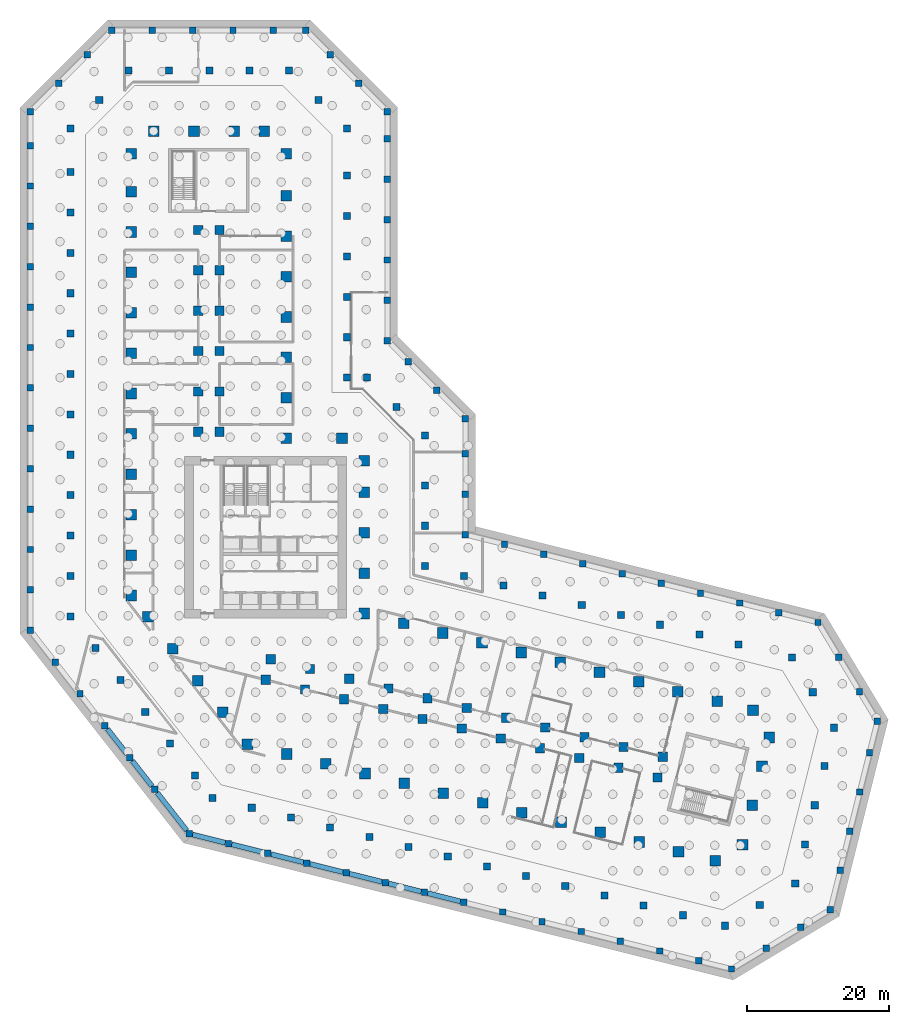
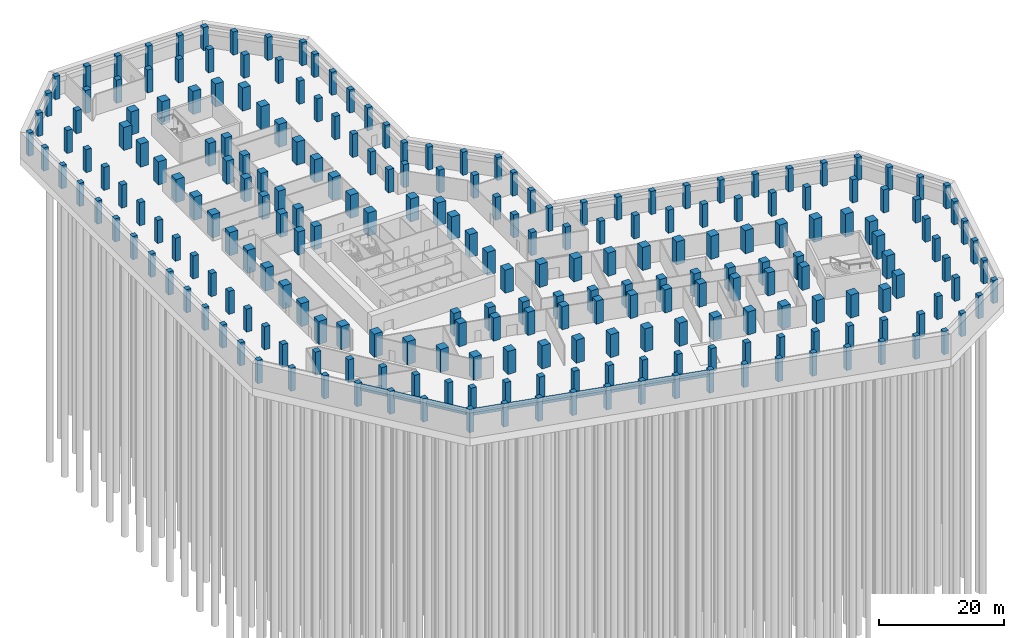
# One storey, part 3 of 15: 239 columns, 10 beams.
"""IFC4 building model written with IfcOpenShell, lengths in metres."""

from ifc_helpers import new_model, si_unit, direction, frame, origin, origin_2d, place, context, subcontext, project, spatial, rectangle, extrude, material, material_profile, profile_set, type_object, element, save


model = new_model("IFC4")

# Units and contexts
model_context = context("Model", 3, precision=1e-05, world=origin(), true_north=direction((0.0, 1.0)))
body_context = subcontext(model_context, "Body", "Model", "MODEL_VIEW")
ifc_project = project(units=[si_unit("LENGTHUNIT", "METRE"), si_unit("AREAUNIT", "SQUARE_METRE"), si_unit("VOLUMEUNIT", "CUBIC_METRE"), si_unit("PLANEANGLEUNIT", "RADIAN"), si_unit("MASSUNIT", "GRAM", prefix="KILO")], contexts=[model_context])

# Site, building, storey
site_placement = place(None, origin())
site = spatial("IfcSite", under=ifc_project, at=site_placement, CompositionType="ELEMENT")
building_placement = place(site_placement, origin())
building = spatial("IfcBuilding", under=site, at=building_placement, Name="Meshkara Civic Tower", CompositionType="ELEMENT")
storey_placement = place(building_placement, frame((0.0, 0.0, -9.0)))
storey = spatial("IfcBuildingStorey", under=building, at=storey_placement, Name="B2", CompositionType="ELEMENT", Elevation=-9.0)

# Columns
ifc_material_1 = material(Name="Concrete C60", Category="concrete")
ifc_material_profile_1 = material_profile(ifc_material_1, rectangle(XDim=0.89990234375, YDim=0.89990234375, at=origin_2d()))
ifc_profile_set_1 = profile_set([ifc_material_profile_1], Name="Concrete C60")
column_type_1 = type_object("IfcColumnType", Name="Basement edge column RC 900x900 C60", PredefinedType="COLUMN", material=ifc_profile_set_1)
for number, where, z_axis, x_axis, name in (
    (1, (-2.297119140625, 97.02001953125, 0.0), (0.0, 0.0, 1.0), (1.0, 0.0, 0.0), "Column BM00-00 B2"),
    (2, (3.403076171875, 97.02001953125, 0.0), (0.0, 0.0, 1.0), (1.0, 0.0, 0.0), "Column BM00-01 B2"),
    (3, (9.10302734375, 97.02001953125, 0.0), (0.0, 0.0, 1.0), (1.0, 0.0, 0.0), "Column BM00-02 B2"),
    (4, (14.802978515625, 97.02001953125, 0.0), (0.0, 0.0, 1.0), (1.0, 0.0, 0.0), "Column BM00-03 B2"),
    (5, (20.5029296875, 97.02001953125, 0.0), (0.0, 0.0, 1.0), (1.0, 0.0, 0.0), "Column BM00-04 B2"),
    (6, (25.096923828125, 97.02001953125, 0.0), (0.0, 0.0, 1.0), (1.0, 0.0, 0.0), "Column BM00-E B2"),
    (7, (-13.800048828125, 85.51708984375, 0.0), (0.0, 0.0, 1.0), (1.0, 0.0, 0.0), "Column BM01-00 B2"),
    (8, (-9.76904296875, 89.548095703125, 0.0), (0.0, 0.0, 1.0), (1.0, 0.0, 0.0), "Column BM01-01 B2"),
    (9, (-5.739013671875, 93.577880859375, 0.0), (0.0, 0.0, 1.0), (1.0, 0.0, 0.0), "Column BM01-02 B2"),
    (10, (-13.800048828125, 12.347900390625, 0.0), (0.0, 0.0, 1.0), (1.0, 0.0, 0.0), "Column BM02-00 B2"),
    (11, (-13.800048828125, 18.048095703125, 0.0), (0.0, 0.0, 1.0), (1.0, 0.0, 0.0), "Column BM02-01 B2"),
    (12, (-13.800048828125, 23.748046875, 0.0), (0.0, 0.0, 1.0), (1.0, 0.0, 0.0), "Column BM02-02 B2"),
    (13, (-13.800048828125, 29.447998046875, 0.0), (0.0, 0.0, 1.0), (1.0, 0.0, 0.0), "Column BM02-03 B2"),
    (14, (-13.800048828125, 35.14794921875, 0.0), (0.0, 0.0, 1.0), (1.0, 0.0, 0.0), "Column BM02-04 B2"),
    (15, (-13.800048828125, 40.847900390625, 0.0), (0.0, 0.0, 1.0), (1.0, 0.0, 0.0), "Column BM02-05 B2"),
    (16, (-13.800048828125, 46.548095703125, 0.0), (0.0, 0.0, 1.0), (1.0, 0.0, 0.0), "Column BM02-06 B2"),
    (17, (-13.800048828125, 52.248046875, 0.0), (0.0, 0.0, 1.0), (1.0, 0.0, 0.0), "Column BM02-07 B2"),
    (18, (-13.800048828125, 57.947998046875, 0.0), (0.0, 0.0, 1.0), (1.0, 0.0, 0.0), "Column BM02-08 B2"),
    (19, (-13.800048828125, 63.64794921875, 0.0), (0.0, 0.0, 1.0), (1.0, 0.0, 0.0), "Column BM02-09 B2"),
    (20, (-13.800048828125, 69.347900390625, 0.0), (0.0, 0.0, 1.0), (1.0, 0.0, 0.0), "Column BM02-10 B2"),
    (21, (-13.800048828125, 75.048095703125, 0.0), (0.0, 0.0, 1.0), (1.0, 0.0, 0.0), "Column BM02-11 B2"),
    (22, (-13.800048828125, 80.748046875, 0.0), (0.0, 0.0, 1.0), (1.0, 0.0, 0.0), "Column BM02-12 B2"),
    (23, (-10.291015625, 7.85595703125, 0.0), (0.0, 0.0, 1.0), (1.0, 0.0, 0.0), "Column BM03-01 B2"),
    (24, (-6.781982421875, 3.364990234375, 0.0), (0.0, 0.0, 1.0), (1.0, 0.0, 0.0), "Column BM03-02 B2"),
    (25, (-3.27197265625, -1.126953125, 0.0), (0.0, 0.0, 1.0), (1.0, 0.0, 0.0), "Column BM03-03 B2"),
    (26, (0.237060546875, -5.618896484375, 0.0), (0.0, 0.0, 1.0), (1.0, 0.0, 0.0), "Column BM03-04 B2"),
    (27, (3.74609375, -10.110107421875, 0.0), (0.0, 0.0, 1.0), (1.0, 0.0, 0.0), "Column BM03-05 B2"),
    (28, (8.64306640625, -16.3779296875, 0.0), (0.0, 0.0, 1.0), (1.0, 0.0, 0.0), "Column BM03-E B2"),
    (29, (14.174072265625, -17.757080078125, 0.0), (0.0, 0.0, 1.0), (1.0, 0.0, 0.0), "Column BM04-01 B2"),
    (30, (19.7041015625, -19.135986328125, 0.0), (0.0, 0.0, 1.0), (1.0, 0.0, 0.0), "Column BM04-02 B2"),
    (31, (25.235107421875, -20.514892578125, 0.0), (0.0, 0.0, 1.0), (1.0, 0.0, 0.0), "Column BM04-03 B2"),
    (32, (30.76611328125, -21.89404296875, 0.0), (0.0, 0.0, 1.0), (1.0, 0.0, 0.0), "Column BM04-04 B2"),
    (33, (36.2958984375, -23.27197265625, 0.0), (0.0, 0.0, 1.0), (1.0, 0.0, 0.0), "Column BM04-05 B2"),
    (34, (41.826904296875, -24.65087890625, 0.0), (0.0, 0.0, 1.0), (1.0, 0.0, 0.0), "Column BM04-06 B2"),
    (35, (47.35791015625, -26.030029296875, 0.0), (0.0, 0.0, 1.0), (1.0, 0.0, 0.0), "Column BM04-07 B2"),
    (36, (52.888916015625, -27.408935546875, 0.0), (0.0, 0.0, 1.0), (1.0, 0.0, 0.0), "Column BM04-08 B2"),
    (37, (58.4189453125, -28.7880859375, 0.0), (0.0, 0.0, 1.0), (1.0, 0.0, 0.0), "Column BM04-09 B2"),
    (38, (63.949951171875, -30.1669921875, 0.0), (0.0, 0.0, 1.0), (1.0, 0.0, 0.0), "Column BM04-10 B2"),
    (39, (69.48095703125, -31.5458984375, 0.0), (0.0, 0.0, 1.0), (1.0, 0.0, 0.0), "Column BM04-11 B2"),
    (40, (75.010986328125, -32.925048828125, 0.0), (0.0, 0.0, 1.0), (1.0, 0.0, 0.0), "Column BM04-12 B2"),
    (41, (80.5419921875, -34.303955078125, 0.0), (0.0, 0.0, 1.0), (1.0, 0.0, 0.0), "Column BM04-13 B2"),
    (42, (85.16796875, -35.45703125, 0.0), (0.0, 0.0, 1.0), (1.0, 0.0, 0.0), "Column BM04-E B2"),
    (43, (90.053955078125, -32.52099609375, 0.0), (0.0, 0.0, 1.0), (1.0, 0.0, 0.0), "Column BM05-01 B2"),
    (44, (94.93994140625, -29.5849609375, 0.0), (0.0, 0.0, 1.0), (1.0, 0.0, 0.0), "Column BM05-02 B2"),
    (45, (99.112060546875, -27.077880859375, 0.0), (0.0, 0.0, 1.0), (1.0, 0.0, 0.0), "Column BM05-E B2"),
    (46, (100.490966796875, -21.547119140625, 0.0), (0.0, 0.0, 1.0), (1.0, 0.0, 0.0), "Column BM06-01 B2"),
    (47, (101.8701171875, -16.01708984375, 0.0), (0.0, 0.0, 1.0), (1.0, 0.0, 0.0), "Column BM06-02 B2"),
    (48, (103.25, -10.486083984375, 0.0), (0.0, 0.0, 1.0), (1.0, 0.0, 0.0), "Column BM06-03 B2"),
    (49, (104.62890625, -4.955078125, 0.0), (0.0, 0.0, 1.0), (1.0, 0.0, 0.0), "Column BM06-04 B2"),
    (50, (105.739990234375, -0.4990234375, 0.0), (0.0, 0.0, 1.0), (1.0, 0.0, 0.0), "Column BM06-E B2"),
    (51, (97.360107421875, 13.445068359375, 0.0), (0.0, 0.0, 1.0), (1.0, 0.0, 0.0), "Column BM07-00 B2"),
    (52, (100.2958984375, 8.55908203125, 0.0), (0.0, 0.0, 1.0), (1.0, 0.0, 0.0), "Column BM07-01 B2"),
    (53, (103.23193359375, 3.674072265625, 0.0), (0.0, 0.0, 1.0), (1.0, 0.0, 0.0), "Column BM07-02 B2"),
    (54, (47.60009765625, 25.85205078125, 0.0), (0.0, 0.0, 1.0), (1.0, 0.0, 0.0), "Column BM08-00 B2"),
    (55, (53.131103515625, 24.472900390625, 0.0), (0.0, 0.0, 1.0), (1.0, 0.0, 0.0), "Column BM08-01 B2"),
    (56, (58.660888671875, 23.093994140625, 0.0), (0.0, 0.0, 1.0), (1.0, 0.0, 0.0), "Column BM08-02 B2"),
    (57, (64.19189453125, 21.715087890625, 0.0), (0.0, 0.0, 1.0), (1.0, 0.0, 0.0), "Column BM08-03 B2"),
    (58, (69.722900390625, 20.3359375, 0.0), (0.0, 0.0, 1.0), (1.0, 0.0, 0.0), "Column BM08-04 B2"),
    (59, (75.2529296875, 18.95703125, 0.0), (0.0, 0.0, 1.0), (1.0, 0.0, 0.0), "Column BM08-05 B2"),
    (60, (80.783935546875, 17.577880859375, 0.0), (0.0, 0.0, 1.0), (1.0, 0.0, 0.0), "Column BM08-06 B2"),
    (61, (86.31494140625, 16.198974609375, 0.0), (0.0, 0.0, 1.0), (1.0, 0.0, 0.0), "Column BM08-07 B2"),
    (62, (91.844970703125, 14.820068359375, 0.0), (0.0, 0.0, 1.0), (1.0, 0.0, 0.0), "Column BM08-08 B2"),
    (63, (47.60009765625, 31.552001953125, 0.0), (0.0, 0.0, 1.0), (1.0, 0.0, 0.0), "Column BM09-01 B2"),
    (64, (47.60009765625, 37.251953125, 0.0), (0.0, 0.0, 1.0), (1.0, 0.0, 0.0), "Column BM09-02 B2"),
    (65, (47.60009765625, 42.197021484375, 0.0), (0.0, 0.0, 1.0), (1.0, 0.0, 0.0), "Column BM09-E B2"),
    (66, (43.569091796875, 46.22802734375, 0.0), (0.0, 0.0, 1.0), (1.0, 0.0, 0.0), "Column BM10-01 B2"),
    (67, (39.5390625, 50.258056640625, 0.0), (0.0, 0.0, 1.0), (1.0, 0.0, 0.0), "Column BM10-02 B2"),
    (68, (36.60009765625, 53.197021484375, 0.0), (0.0, 0.0, 1.0), (1.0, 0.0, 0.0), "Column BM10-E B2"),
    (69, (36.60009765625, 58.89697265625, 0.0), (0.0, 0.0, 1.0), (1.0, 0.0, 0.0), "Column BM11-01 B2"),
    (70, (36.60009765625, 64.596923828125, 0.0), (0.0, 0.0, 1.0), (1.0, 0.0, 0.0), "Column BM11-02 B2"),
    (71, (36.60009765625, 70.297119140625, 0.0), (0.0, 0.0, 1.0), (1.0, 0.0, 0.0), "Column BM11-03 B2"),
    (72, (36.60009765625, 75.9970703125, 0.0), (0.0, 0.0, 1.0), (1.0, 0.0, 0.0), "Column BM11-04 B2"),
    (73, (36.60009765625, 81.697021484375, 0.0), (0.0, 0.0, 1.0), (1.0, 0.0, 0.0), "Column BM11-05 B2"),
    (74, (36.60009765625, 85.51708984375, 0.0), (0.0, 0.0, 1.0), (1.0, 0.0, 0.0), "Column BM11-E B2"),
    (75, (32.569091796875, 89.548095703125, 0.0), (0.0, 0.0, 1.0), (1.0, 0.0, 0.0), "Column BM12-01 B2"),
    (76, (28.5390625, 93.577880859375, 0.0), (0.0, 0.0, 1.0), (1.0, 0.0, 0.0), "Column BM12-02 B2"),
):
    element("IfcColumn", number, at=place(storey_placement, frame(where, z_axis=z_axis, x_axis=x_axis)), inside=storey, type_object=column_type_1, Name=name, PredefinedType="COLUMN", context=body_context, shape_type="SweptSolid", body=[
        extrude(rectangle(XDim=0.89990234375, YDim=0.89990234375, at=origin_2d()), origin(), (0.0, 0.0, 1.0), 4.5),
    ])
ifc_material_2 = material(Name="Concrete C80", Category="concrete")
ifc_material_profile_2 = material_profile(ifc_material_2, rectangle(XDim=1.300048828125, YDim=1.300048828125, at=origin_2d()))
ifc_profile_set_2 = profile_set([ifc_material_profile_2], Name="Concrete C80")
column_type_2 = type_object("IfcColumnType", Name="Interior column RC 1300x1300 C80", PredefinedType="COLUMN", material=ifc_profile_set_2)
for number, where, z_axis, x_axis, name in (
    (77, (9.89990234375, 40.35009765625, 0.0), (0.0, 0.0, 1.0), (1.0, 0.0, 0.0), "Column SA1-04 B2"),
    (78, (9.89990234375, 46.050048828125, 0.0), (0.0, 0.0, 1.0), (1.0, 0.0, 0.0), "Column SA1-05 B2"),
    (79, (9.89990234375, 51.75, 0.0), (0.0, 0.0, 1.0), (1.0, 0.0, 0.0), "Column SA1-06 B2"),
    (80, (9.89990234375, 57.449951171875, 0.0), (0.0, 0.0, 1.0), (1.0, 0.0, 0.0), "Column SA1-07 B2"),
    (81, (9.89990234375, 63.14990234375, 0.0), (0.0, 0.0, 1.0), (1.0, 0.0, 0.0), "Column SA1-08 B2"),
    (82, (9.89990234375, 68.85009765625, 0.0), (0.0, 0.0, 1.0), (1.0, 0.0, 0.0), "Column SA1-09 B2"),
    (83, (12.89990234375, 40.35009765625, 0.0), (0.0, 0.0, 1.0), (1.0, 0.0, 0.0), "Column SA2-04 B2"),
    (84, (12.89990234375, 46.050048828125, 0.0), (0.0, 0.0, 1.0), (1.0, 0.0, 0.0), "Column SA2-05 B2"),
    (85, (12.89990234375, 51.75, 0.0), (0.0, 0.0, 1.0), (1.0, 0.0, 0.0), "Column SA2-06 B2"),
    (86, (12.89990234375, 57.449951171875, 0.0), (0.0, 0.0, 1.0), (1.0, 0.0, 0.0), "Column SA2-07 B2"),
    (87, (12.89990234375, 63.14990234375, 0.0), (0.0, 0.0, 1.0), (1.0, 0.0, 0.0), "Column SA2-08 B2"),
    (88, (12.89990234375, 68.85009765625, 0.0), (0.0, 0.0, 1.0), (1.0, 0.0, 0.0), "Column SA2-09 B2"),
    (89, (19.424072265625, 5.360107421875, 0.0), (0.0, 0.0, 1.0), (1.0, 0.0, 0.0), "Column SB1-00 B2"),
    (90, (24.9541015625, 3.98095703125, 0.0), (0.0, 0.0, 1.0), (1.0, 0.0, 0.0), "Column SB1-01 B2"),
    (91, (30.485107421875, 2.60205078125, 0.0), (0.0, 0.0, 1.0), (1.0, 0.0, 0.0), "Column SB1-02 B2"),
    (92, (36.01611328125, 1.222900390625, 0.0), (0.0, 0.0, 1.0), (1.0, 0.0, 0.0), "Column SB1-03 B2"),
    (93, (41.5458984375, -0.156005859375, 0.0), (0.0, 0.0, 1.0), (1.0, 0.0, 0.0), "Column SB1-04 B2"),
    (94, (47.076904296875, -1.534912109375, 0.0), (0.0, 0.0, 1.0), (1.0, 0.0, 0.0), "Column SB1-05 B2"),
    (95, (52.60791015625, -2.9140625, 0.0), (0.0, 0.0, 1.0), (1.0, 0.0, 0.0), "Column SB1-06 B2"),
    (96, (58.138916015625, -4.2919921875, 0.0), (0.0, 0.0, 1.0), (1.0, 0.0, 0.0), "Column SB1-07 B2"),
    (97, (63.6689453125, -5.6708984375, 0.0), (0.0, 0.0, 1.0), (1.0, 0.0, 0.0), "Column SB1-08 B2"),
    (98, (69.199951171875, -7.050048828125, 0.0), (0.0, 0.0, 1.0), (1.0, 0.0, 0.0), "Column SB1-09 B2"),
    (99, (74.73095703125, -8.428955078125, 0.0), (0.0, 0.0, 1.0), (1.0, 0.0, 0.0), "Column SB1-10 B2"),
    (100, (20.14892578125, 8.27099609375, 0.0), (0.0, 0.0, 1.0), (1.0, 0.0, 0.0), "Column SB2-00 B2"),
    (101, (25.679931640625, 6.89208984375, 0.0), (0.0, 0.0, 1.0), (1.0, 0.0, 0.0), "Column SB2-01 B2"),
    (102, (31.2109375, 5.512939453125, 0.0), (0.0, 0.0, 1.0), (1.0, 0.0, 0.0), "Column SB2-02 B2"),
    (103, (36.741943359375, 4.134033203125, 0.0), (0.0, 0.0, 1.0), (1.0, 0.0, 0.0), "Column SB2-03 B2"),
    (104, (42.27197265625, 2.7548828125, 0.0), (0.0, 0.0, 1.0), (1.0, 0.0, 0.0), "Column SB2-04 B2"),
    (105, (47.802978515625, 1.3759765625, 0.0), (0.0, 0.0, 1.0), (1.0, 0.0, 0.0), "Column SB2-05 B2"),
    (106, (53.333984375, -0.0029296875, 0.0), (0.0, 0.0, 1.0), (1.0, 0.0, 0.0), "Column SB2-06 B2"),
    (107, (58.864013671875, -1.382080078125, 0.0), (0.0, 0.0, 1.0), (1.0, 0.0, 0.0), "Column SB2-07 B2"),
    (108, (64.39501953125, -2.760986328125, 0.0), (0.0, 0.0, 1.0), (1.0, 0.0, 0.0), "Column SB2-08 B2"),
    (109, (69.926025390625, -4.139892578125, 0.0), (0.0, 0.0, 1.0), (1.0, 0.0, 0.0), "Column SB2-09 B2"),
    (110, (75.4560546875, -5.51806640625, 0.0), (0.0, 0.0, 1.0), (1.0, 0.0, 0.0), "Column SB2-10 B2"),
):
    element("IfcColumn", number, at=place(storey_placement, frame(where, z_axis=z_axis, x_axis=x_axis)), inside=storey, type_object=column_type_2, Name=name, PredefinedType="COLUMN", context=body_context, shape_type="SweptSolid", body=[
        extrude(rectangle(XDim=1.300048828125, YDim=1.300048828125, at=origin_2d()), origin(), (0.0, 0.0, 1.0), 4.5),
    ])
ifc_material_3 = material(Name="Concrete C80", Category="concrete")
ifc_material_profile_3 = material_profile(ifc_material_3, rectangle(XDim=1.5, YDim=1.5, at=origin_2d()))
ifc_profile_set_3 = profile_set([ifc_material_profile_3], Name="Concrete C80")
column_type_3 = type_object("IfcColumnType", Name="Perimeter column RC 1500x1500 C80", PredefinedType="COLUMN", material=ifc_profile_set_3)
for number, where, z_axis, x_axis, name in (
    (111, (33.35009765625, 14.718994140625, 0.0), (0.0, 0.0, 1.0), (1.0, 0.0, 0.0), "Column HE00 B2"),
    (112, (33.35009765625, 20.4189453125, 0.0), (0.0, 0.0, 1.0), (1.0, 0.0, 0.0), "Column HE01 B2"),
    (113, (33.35009765625, 26.118896484375, 0.0), (0.0, 0.0, 1.0), (1.0, 0.0, 0.0), "Column HE02 B2"),
    (114, (33.35009765625, 31.819091796875, 0.0), (0.0, 0.0, 1.0), (1.0, 0.0, 0.0), "Column HE03 B2"),
    (115, (33.35009765625, 36.2939453125, 0.0), (0.0, 0.0, 1.0), (1.0, 0.0, 0.0), "Column HEE B2"),
    (116, (30.194091796875, 39.449951171875, 0.0), (0.0, 0.0, 1.0), (1.0, 0.0, 0.0), "Column HCeE B2"),
    (117, (22.35009765625, 39.449951171875, 0.0), (0.0, 0.0, 1.0), (1.0, 0.0, 0.0), "Column HN00 B2"),
    (118, (22.35009765625, 45.14990234375, 0.0), (0.0, 0.0, 1.0), (1.0, 0.0, 0.0), "Column AE01 B2"),
    (119, (22.35009765625, 50.85009765625, 0.0), (0.0, 0.0, 1.0), (1.0, 0.0, 0.0), "Column AE02 B2"),
    (120, (22.35009765625, 56.550048828125, 0.0), (0.0, 0.0, 1.0), (1.0, 0.0, 0.0), "Column AE03 B2"),
    (121, (22.35009765625, 62.25, 0.0), (0.0, 0.0, 1.0), (1.0, 0.0, 0.0), "Column AE04 B2"),
    (122, (22.35009765625, 67.949951171875, 0.0), (0.0, 0.0, 1.0), (1.0, 0.0, 0.0), "Column AE05 B2"),
    (123, (22.35009765625, 73.64990234375, 0.0), (0.0, 0.0, 1.0), (1.0, 0.0, 0.0), "Column AE06 B2"),
    (124, (22.35009765625, 79.614013671875, 0.0), (0.0, 0.0, 1.0), (1.0, 0.0, 0.0), "Column AEE B2"),
    (125, (19.194091796875, 82.77001953125, 0.0), (0.0, 0.0, 1.0), (1.0, 0.0, 0.0), "Column ATiE B2"),
    (126, (3.60595703125, 82.77001953125, 0.0), (0.0, 0.0, 1.0), (1.0, 0.0, 0.0), "Column AT00 B2"),
    (127, (9.305908203125, 82.77001953125, 0.0), (0.0, 0.0, 1.0), (1.0, 0.0, 0.0), "Column AT01 B2"),
    (128, (15.006103515625, 82.77001953125, 0.0), (0.0, 0.0, 1.0), (1.0, 0.0, 0.0), "Column AT02 B2"),
    (129, (0.449951171875, 79.614013671875, 0.0), (0.0, 0.0, 1.0), (1.0, 0.0, 0.0), "Column ATo00 B2"),
    (130, (0.449951171875, 17.2548828125, 0.0), (0.0, 0.0, 1.0), (1.0, 0.0, 0.0), "Column AW00 B2"),
    (131, (0.449951171875, 22.955078125, 0.0), (0.0, 0.0, 1.0), (1.0, 0.0, 0.0), "Column AW01 B2"),
    (132, (0.449951171875, 28.655029296875, 0.0), (0.0, 0.0, 1.0), (1.0, 0.0, 0.0), "Column AW02 B2"),
    (133, (0.449951171875, 34.35498046875, 0.0), (0.0, 0.0, 1.0), (1.0, 0.0, 0.0), "Column AW03 B2"),
    (134, (0.449951171875, 40.054931640625, 0.0), (0.0, 0.0, 1.0), (1.0, 0.0, 0.0), "Column AW04 B2"),
    (135, (0.449951171875, 45.7548828125, 0.0), (0.0, 0.0, 1.0), (1.0, 0.0, 0.0), "Column AW05 B2"),
    (136, (0.449951171875, 51.455078125, 0.0), (0.0, 0.0, 1.0), (1.0, 0.0, 0.0), "Column AW06 B2"),
    (137, (0.449951171875, 57.155029296875, 0.0), (0.0, 0.0, 1.0), (1.0, 0.0, 0.0), "Column AW07 B2"),
    (138, (0.449951171875, 62.85498046875, 0.0), (0.0, 0.0, 1.0), (1.0, 0.0, 0.0), "Column AW08 B2"),
    (139, (0.449951171875, 68.554931640625, 0.0), (0.0, 0.0, 1.0), (1.0, 0.0, 0.0), "Column AW09 B2"),
    (140, (0.449951171875, 74.2548828125, 0.0), (0.0, 0.0, 1.0), (1.0, 0.0, 0.0), "Column AW10 B2"),
    (141, (16.85107421875, -3.738037109375, 0.0), (0.0, 0.0, 1.0), (1.0, 0.0, 0.0), "Column BOW00 B2"),
    (142, (13.342041015625, 0.75390625, 0.0), (0.0, 0.0, 1.0), (1.0, 0.0, 0.0), "Column BOW01 B2"),
    (143, (9.8330078125, 5.2451171875, 0.0), (0.0, 0.0, 1.0), (1.0, 0.0, 0.0), "Column BOW02 B2"),
    (144, (6.322998046875, 9.737060546875, 0.0), (0.0, 0.0, 1.0), (1.0, 0.0, 0.0), "Column BOW03 B2"),
    (145, (2.81396484375, 14.22900390625, 0.0), (0.0, 0.0, 1.0), (1.0, 0.0, 0.0), "Column BOW04 B2"),
    (146, (22.382080078125, -5.116943359375, 0.0), (0.0, 0.0, 1.0), (1.0, 0.0, 0.0), "Column BS01 B2"),
    (147, (27.912109375, -6.49609375, 0.0), (0.0, 0.0, 1.0), (1.0, 0.0, 0.0), "Column BS02 B2"),
    (148, (33.443115234375, -7.875, 0.0), (0.0, 0.0, 1.0), (1.0, 0.0, 0.0), "Column BS03 B2"),
    (149, (38.97412109375, -9.25390625, 0.0), (0.0, 0.0, 1.0), (1.0, 0.0, 0.0), "Column BS04 B2"),
    (150, (44.5048828125, -10.632080078125, 0.0), (0.0, 0.0, 1.0), (1.0, 0.0, 0.0), "Column BS05 B2"),
    (151, (50.034912109375, -12.010986328125, 0.0), (0.0, 0.0, 1.0), (1.0, 0.0, 0.0), "Column BS06 B2"),
    (152, (55.56591796875, -13.389892578125, 0.0), (0.0, 0.0, 1.0), (1.0, 0.0, 0.0), "Column BS07 B2"),
    (153, (61.096923828125, -14.76904296875, 0.0), (0.0, 0.0, 1.0), (1.0, 0.0, 0.0), "Column BS08 B2"),
    (154, (66.626953125, -16.14794921875, 0.0), (0.0, 0.0, 1.0), (1.0, 0.0, 0.0), "Column BS09 B2"),
    (155, (72.157958984375, -17.527099609375, 0.0), (0.0, 0.0, 1.0), (1.0, 0.0, 0.0), "Column BS10 B2"),
    (156, (77.68896484375, -18.906005859375, 0.0), (0.0, 0.0, 1.0), (1.0, 0.0, 0.0), "Column BS11 B2"),
    (157, (82.887939453125, -20.201904296875, 0.0), (0.0, 0.0, 1.0), (1.0, 0.0, 0.0), "Column BSE B2"),
    (158, (86.714111328125, -17.903076171875, 0.0), (0.0, 0.0, 1.0), (1.0, 0.0, 0.0), "Column BToE B2"),
    (159, (88.093017578125, -12.3720703125, 0.0), (0.0, 0.0, 1.0), (1.0, 0.0, 0.0), "Column BT01 B2"),
    (160, (89.471923828125, -6.842041015625, 0.0), (0.0, 0.0, 1.0), (1.0, 0.0, 0.0), "Column BT02 B2"),
    (161, (90.485107421875, -2.779052734375, 0.0), (0.0, 0.0, 1.0), (1.0, 0.0, 0.0), "Column BTE B2"),
    (162, (88.18603515625, 1.0458984375, 0.0), (0.0, 0.0, 1.0), (1.0, 0.0, 0.0), "Column BTi00 B2"),
    (163, (38.881103515625, 13.340087890625, 0.0), (0.0, 0.0, 1.0), (1.0, 0.0, 0.0), "Column BN01 B2"),
    (164, (44.410888671875, 11.9609375, 0.0), (0.0, 0.0, 1.0), (1.0, 0.0, 0.0), "Column BN02 B2"),
    (165, (49.94189453125, 10.58203125, 0.0), (0.0, 0.0, 1.0), (1.0, 0.0, 0.0), "Column BN03 B2"),
    (166, (55.472900390625, 9.202880859375, 0.0), (0.0, 0.0, 1.0), (1.0, 0.0, 0.0), "Column BN04 B2"),
    (167, (61.0029296875, 7.823974609375, 0.0), (0.0, 0.0, 1.0), (1.0, 0.0, 0.0), "Column BN05 B2"),
    (168, (66.533935546875, 6.445068359375, 0.0), (0.0, 0.0, 1.0), (1.0, 0.0, 0.0), "Column BN06 B2"),
    (169, (72.06494140625, 5.06591796875, 0.0), (0.0, 0.0, 1.0), (1.0, 0.0, 0.0), "Column BN07 B2"),
    (170, (77.594970703125, 3.68701171875, 0.0), (0.0, 0.0, 1.0), (1.0, 0.0, 0.0), "Column BN08 B2"),
    (171, (83.1259765625, 2.30810546875, 0.0), (0.0, 0.0, 1.0), (1.0, 0.0, 0.0), "Column BN09 B2"),
):
    element("IfcColumn", number, at=place(storey_placement, frame(where, z_axis=z_axis, x_axis=x_axis)), inside=storey, type_object=column_type_3, Name=name, PredefinedType="COLUMN", context=body_context, shape_type="SweptSolid", body=[
        extrude(rectangle(XDim=1.5, YDim=1.5, at=origin_2d()), origin(), (0.0, 0.0, 1.0), 4.5),
    ])
ifc_material_4 = material(Name="Concrete C60", Category="concrete")
ifc_material_profile_4 = material_profile(ifc_material_4, rectangle(XDim=1.0, YDim=1.0, at=origin_2d()))
ifc_profile_set_4 = profile_set([ifc_material_profile_4], Name="Concrete C60")
column_type_4 = type_object("IfcColumnType", Name="Podium edge column RC 1000x1000 C60", PredefinedType="COLUMN", material=ifc_profile_set_4)
for number, where, z_axis, x_axis, name in (
    (172, (0.06396484375, 91.320068359375, 0.0), (0.0, 0.0, 1.0), (1.0, 0.0, 0.0), "Column PD00-00 B2"),
    (173, (5.763916015625, 91.320068359375, 0.0), (0.0, 0.0, 1.0), (1.0, 0.0, 0.0), "Column PD00-01 B2"),
    (174, (11.464111328125, 91.320068359375, 0.0), (0.0, 0.0, 1.0), (1.0, 0.0, 0.0), "Column PD00-02 B2"),
    (175, (17.1640625, 91.320068359375, 0.0), (0.0, 0.0, 1.0), (1.0, 0.0, 0.0), "Column PD00-03 B2"),
    (176, (22.736083984375, 91.320068359375, 0.0), (0.0, 0.0, 1.0), (1.0, 0.0, 0.0), "Column PD00-E B2"),
    (177, (-8.10009765625, 83.156005859375, 0.0), (0.0, 0.0, 1.0), (1.0, 0.0, 0.0), "Column PD01-00 B2"),
    (178, (-4.069091796875, 87.18701171875, 0.0), (0.0, 0.0, 1.0), (1.0, 0.0, 0.0), "Column PD01-01 B2"),
    (179, (-8.10009765625, 14.31103515625, 0.0), (0.0, 0.0, 1.0), (1.0, 0.0, 0.0), "Column PD02-00 B2"),
    (180, (-8.10009765625, 20.010986328125, 0.0), (0.0, 0.0, 1.0), (1.0, 0.0, 0.0), "Column PD02-01 B2"),
    (181, (-8.10009765625, 25.7109375, 0.0), (0.0, 0.0, 1.0), (1.0, 0.0, 0.0), "Column PD02-02 B2"),
    (182, (-8.10009765625, 31.410888671875, 0.0), (0.0, 0.0, 1.0), (1.0, 0.0, 0.0), "Column PD02-03 B2"),
    (183, (-8.10009765625, 37.111083984375, 0.0), (0.0, 0.0, 1.0), (1.0, 0.0, 0.0), "Column PD02-04 B2"),
    (184, (-8.10009765625, 42.81103515625, 0.0), (0.0, 0.0, 1.0), (1.0, 0.0, 0.0), "Column PD02-05 B2"),
    (185, (-8.10009765625, 48.510986328125, 0.0), (0.0, 0.0, 1.0), (1.0, 0.0, 0.0), "Column PD02-06 B2"),
    (186, (-8.10009765625, 54.2109375, 0.0), (0.0, 0.0, 1.0), (1.0, 0.0, 0.0), "Column PD02-07 B2"),
    (187, (-8.10009765625, 59.910888671875, 0.0), (0.0, 0.0, 1.0), (1.0, 0.0, 0.0), "Column PD02-08 B2"),
    (188, (-8.10009765625, 65.611083984375, 0.0), (0.0, 0.0, 1.0), (1.0, 0.0, 0.0), "Column PD02-09 B2"),
    (189, (-8.10009765625, 71.31103515625, 0.0), (0.0, 0.0, 1.0), (1.0, 0.0, 0.0), "Column PD02-10 B2"),
    (190, (-8.10009765625, 77.010986328125, 0.0), (0.0, 0.0, 1.0), (1.0, 0.0, 0.0), "Column PD02-11 B2"),
    (191, (-4.591064453125, 9.819091796875, 0.0), (0.0, 0.0, 1.0), (1.0, 0.0, 0.0), "Column PD03-01 B2"),
    (192, (-1.08203125, 5.327880859375, 0.0), (0.0, 0.0, 1.0), (1.0, 0.0, 0.0), "Column PD03-02 B2"),
    (193, (2.427978515625, 0.8359375, 0.0), (0.0, 0.0, 1.0), (1.0, 0.0, 0.0), "Column PD03-03 B2"),
    (194, (5.93701171875, -3.656005859375, 0.0), (0.0, 0.0, 1.0), (1.0, 0.0, 0.0), "Column PD03-04 B2"),
    (195, (9.446044921875, -8.14794921875, 0.0), (0.0, 0.0, 1.0), (1.0, 0.0, 0.0), "Column PD03-05 B2"),
    (196, (11.926025390625, -11.322021484375, 0.0), (0.0, 0.0, 1.0), (1.0, 0.0, 0.0), "Column PD03-E B2"),
    (197, (17.45703125, -12.700927734375, 0.0), (0.0, 0.0, 1.0), (1.0, 0.0, 0.0), "Column PD04-01 B2"),
    (198, (22.987060546875, -14.080078125, 0.0), (0.0, 0.0, 1.0), (1.0, 0.0, 0.0), "Column PD04-02 B2"),
    (199, (28.51806640625, -15.458984375, 0.0), (0.0, 0.0, 1.0), (1.0, 0.0, 0.0), "Column PD04-03 B2"),
    (200, (34.049072265625, -16.837890625, 0.0), (0.0, 0.0, 1.0), (1.0, 0.0, 0.0), "Column PD04-04 B2"),
    (201, (39.580078125, -18.216064453125, 0.0), (0.0, 0.0, 1.0), (1.0, 0.0, 0.0), "Column PD04-05 B2"),
    (202, (45.110107421875, -19.594970703125, 0.0), (0.0, 0.0, 1.0), (1.0, 0.0, 0.0), "Column PD04-06 B2"),
    (203, (50.64111328125, -20.97412109375, 0.0), (0.0, 0.0, 1.0), (1.0, 0.0, 0.0), "Column PD04-07 B2"),
    (204, (56.172119140625, -22.35302734375, 0.0), (0.0, 0.0, 1.0), (1.0, 0.0, 0.0), "Column PD04-08 B2"),
    (205, (61.701904296875, -23.73193359375, 0.0), (0.0, 0.0, 1.0), (1.0, 0.0, 0.0), "Column PD04-09 B2"),
    (206, (67.23291015625, -25.111083984375, 0.0), (0.0, 0.0, 1.0), (1.0, 0.0, 0.0), "Column PD04-10 B2"),
    (207, (72.763916015625, -26.489990234375, 0.0), (0.0, 0.0, 1.0), (1.0, 0.0, 0.0), "Column PD04-11 B2"),
    (208, (78.2939453125, -27.868896484375, 0.0), (0.0, 0.0, 1.0), (1.0, 0.0, 0.0), "Column PD04-12 B2"),
    (209, (84.256103515625, -29.35498046875, 0.0), (0.0, 0.0, 1.0), (1.0, 0.0, 0.0), "Column PD04-E B2"),
    (210, (89.14208984375, -26.4189453125, 0.0), (0.0, 0.0, 1.0), (1.0, 0.0, 0.0), "Column PD05-01 B2"),
    (211, (94.153076171875, -23.407958984375, 0.0), (0.0, 0.0, 1.0), (1.0, 0.0, 0.0), "Column PD05-E B2"),
    (212, (95.531982421875, -17.876953125, 0.0), (0.0, 0.0, 1.0), (1.0, 0.0, 0.0), "Column PD06-01 B2"),
    (213, (96.910888671875, -12.346923828125, 0.0), (0.0, 0.0, 1.0), (1.0, 0.0, 0.0), "Column PD06-02 B2"),
    (214, (98.2900390625, -6.81591796875, 0.0), (0.0, 0.0, 1.0), (1.0, 0.0, 0.0), "Column PD06-03 B2"),
    (215, (99.637939453125, -1.410888671875, 0.0), (0.0, 0.0, 1.0), (1.0, 0.0, 0.0), "Column PD06-E B2"),
    (216, (93.68994140625, 8.485107421875, 0.0), (0.0, 0.0, 1.0), (1.0, 0.0, 0.0), "Column PD07-00 B2"),
    (217, (96.6259765625, 3.60009765625, 0.0), (0.0, 0.0, 1.0), (1.0, 0.0, 0.0), "Column PD07-01 B2"),
    (218, (41.89990234375, 21.39892578125, 0.0), (0.0, 0.0, 1.0), (1.0, 0.0, 0.0), "Column PD08-00 B2"),
    (219, (47.430908203125, 20.02001953125, 0.0), (0.0, 0.0, 1.0), (1.0, 0.0, 0.0), "Column PD08-01 B2"),
    (220, (52.9609375, 18.64111328125, 0.0), (0.0, 0.0, 1.0), (1.0, 0.0, 0.0), "Column PD08-02 B2"),
    (221, (58.491943359375, 17.261962890625, 0.0), (0.0, 0.0, 1.0), (1.0, 0.0, 0.0), "Column PD08-03 B2"),
    (222, (64.02294921875, 15.883056640625, 0.0), (0.0, 0.0, 1.0), (1.0, 0.0, 0.0), "Column PD08-04 B2"),
    (223, (69.552978515625, 14.50390625, 0.0), (0.0, 0.0, 1.0), (1.0, 0.0, 0.0), "Column PD08-05 B2"),
    (224, (75.083984375, 13.1240234375, 0.0), (0.0, 0.0, 1.0), (1.0, 0.0, 0.0), "Column PD08-06 B2"),
    (225, (80.614990234375, 11.7451171875, 0.0), (0.0, 0.0, 1.0), (1.0, 0.0, 0.0), "Column PD08-07 B2"),
    (226, (86.14501953125, 10.365966796875, 0.0), (0.0, 0.0, 1.0), (1.0, 0.0, 0.0), "Column PD08-08 B2"),
    (227, (41.89990234375, 27.09912109375, 0.0), (0.0, 0.0, 1.0), (1.0, 0.0, 0.0), "Column PD09-01 B2"),
    (228, (41.89990234375, 32.799072265625, 0.0), (0.0, 0.0, 1.0), (1.0, 0.0, 0.0), "Column PD09-02 B2"),
    (229, (41.89990234375, 39.8359375, 0.0), (0.0, 0.0, 1.0), (1.0, 0.0, 0.0), "Column PD09-E B2"),
    (230, (37.868896484375, 43.866943359375, 0.0), (0.0, 0.0, 1.0), (1.0, 0.0, 0.0), "Column PD10-01 B2"),
    (231, (33.736083984375, 48.0, 0.0), (0.0, 0.0, 1.0), (1.0, 0.0, 0.0), "Column PD10-E B2"),
    (232, (30.89990234375, 48.0, 0.0), (0.0, 0.0, 1.0), (1.0, 0.0, 0.0), "Column PD11-00 B2"),
    (233, (30.89990234375, 53.699951171875, 0.0), (0.0, 0.0, 1.0), (1.0, 0.0, 0.0), "Column PD12-01 B2"),
    (234, (30.89990234375, 59.39990234375, 0.0), (0.0, 0.0, 1.0), (1.0, 0.0, 0.0), "Column PD12-02 B2"),
    (235, (30.89990234375, 65.10009765625, 0.0), (0.0, 0.0, 1.0), (1.0, 0.0, 0.0), "Column PD12-03 B2"),
    (236, (30.89990234375, 70.800048828125, 0.0), (0.0, 0.0, 1.0), (1.0, 0.0, 0.0), "Column PD12-04 B2"),
    (237, (30.89990234375, 76.5, 0.0), (0.0, 0.0, 1.0), (1.0, 0.0, 0.0), "Column PD12-05 B2"),
    (238, (30.89990234375, 83.156005859375, 0.0), (0.0, 0.0, 1.0), (1.0, 0.0, 0.0), "Column PD12-E B2"),
    (239, (26.868896484375, 87.18701171875, 0.0), (0.0, 0.0, 1.0), (1.0, 0.0, 0.0), "Column PD13-01 B2"),
):
    element("IfcColumn", number, at=place(storey_placement, frame(where, z_axis=z_axis, x_axis=x_axis)), inside=storey, type_object=column_type_4, Name=name, PredefinedType="COLUMN", context=body_context, shape_type="SweptSolid", body=[
        extrude(rectangle(XDim=1.0, YDim=1.0, at=origin_2d()), origin(), (0.0, 0.0, 1.0), 4.5),
    ])

# Beams
ifc_material_5 = material(Name="Concrete C60", Category="concrete")
ifc_material_profile_5 = material_profile(ifc_material_5, rectangle(XDim=0.699951171875, YDim=0.89990234375, at=origin_2d()))
ifc_profile_set_5 = profile_set([ifc_material_profile_5], Name="Concrete C60")
beam_type = type_object("IfcBeamType", Name="Spandrel beam RC 700x900 C60", PredefinedType="BEAM", material=ifc_profile_set_5)
beam_1_placement = place(storey_placement, frame((-2.923583984375, -1.572998046875, 3.60009765625), z_axis=(0.615626410665, -0.788038147865, 0.0), x_axis=(0.788038147865, 0.615626410665, 0.0)))
element("IfcBeam", 240, at=beam_1_placement, inside=storey, type_object=beam_type, Name="Spandrel beam BM03-03-BM03-04", PredefinedType="BEAM", context=body_context, shape_type="SweptSolid", body=[
    extrude(rectangle(XDim=0.699951171875, YDim=0.89990234375, at=origin_2d()), origin(), (0.0, 0.0, 1.0), 4.568115234375),
])
beam_2_placement = place(storey_placement, frame((0.58544921875, -6.065185546875, 3.60009765625), z_axis=(0.615722879711, -0.78796277539, 0.0), x_axis=(0.78796277539, 0.615722879711, 0.0)))
element("IfcBeam", 241, at=beam_2_placement, inside=storey, type_object=beam_type, Name="Spandrel beam BM03-04-BM03-05", PredefinedType="BEAM", context=body_context, shape_type="SweptSolid", body=[
    extrude(rectangle(XDim=0.699951171875, YDim=0.89990234375, at=origin_2d()), origin(), (0.0, 0.0, 1.0), 4.56689453125),
])
beam_3_placement = place(storey_placement, frame((4.094482421875, -10.55615234375, 3.60009765625), z_axis=(0.615658626127, -0.788012979637, 0.0), x_axis=(0.788012979637, 0.615658626127, 0.0)))
element("IfcBeam", 242, at=beam_3_placement, inside=storey, type_object=beam_type, Name="Spandrel beam BM03-05-BM03-E", PredefinedType="BEAM", context=body_context, shape_type="SweptSolid", body=[
    extrude(rectangle(XDim=0.699951171875, YDim=0.89990234375, at=origin_2d()), origin(), (0.0, 0.0, 1.0), 6.82177734375),
])
beam_4_placement = place(storey_placement, frame((9.088134765625, -16.489013671875, 3.60009765625), z_axis=(0.970301429476, -0.241899020164, 0.0), x_axis=(0.241899020164, 0.970301429476, 0.0)))
element("IfcBeam", 243, at=beam_4_placement, inside=storey, type_object=beam_type, Name="Spandrel beam BM03-E-BM04-01", PredefinedType="BEAM", context=body_context, shape_type="SweptSolid", body=[
    extrude(rectangle(XDim=0.699951171875, YDim=0.89990234375, at=origin_2d()), origin(), (0.0, 0.0, 1.0), 4.782958984375),
])
beam_5_placement = place(storey_placement, frame((14.619140625, -17.867919921875, 3.60009765625), z_axis=(0.970286489601, -0.241958938867, 0.0), x_axis=(0.241958938867, 0.970286489601, 0.0)))
element("IfcBeam", 244, at=beam_5_placement, inside=storey, type_object=beam_type, Name="Spandrel beam BM04-01-BM04-02", PredefinedType="BEAM", context=body_context, shape_type="SweptSolid", body=[
    extrude(rectangle(XDim=0.699951171875, YDim=0.89990234375, at=origin_2d()), origin(), (0.0, 0.0, 1.0), 4.78173828125),
])
for number, where, z_axis, x_axis, name in (
    (245, (20.149169921875, -19.2470703125, 3.60009765625), (0.970298442389, -0.241911001604, 0.0), (0.241911001604, 0.970298442389, 0.0), "Spandrel beam BM04-02-BM04-03"),
    (246, (25.68017578125, -20.6259765625, 3.60009765625), (0.970298442389, -0.241911001604, 0.0), (0.241911001604, 0.970298442389, 0.0), "Spandrel beam BM04-03-BM04-04"),
):
    element("IfcBeam", number, at=place(storey_placement, frame(where, z_axis=z_axis, x_axis=x_axis)), inside=storey, type_object=beam_type, Name=name, PredefinedType="BEAM", context=body_context, shape_type="SweptSolid", body=[
        extrude(rectangle(XDim=0.699951171875, YDim=0.89990234375, at=origin_2d()), origin(), (0.0, 0.0, 1.0), 4.78271484375),
    ])
beam_6_placement = place(storey_placement, frame((31.211181640625, -22.0048828125, 3.60009765625), z_axis=(0.970322440067, -0.241814727224, 0.0), x_axis=(0.241814727224, 0.970322440067, 0.0)))
element("IfcBeam", 247, at=beam_6_placement, inside=storey, type_object=beam_type, Name="Spandrel beam BM04-04-BM04-05", PredefinedType="BEAM", context=body_context, shape_type="SweptSolid", body=[
    extrude(rectangle(XDim=0.699951171875, YDim=0.89990234375, at=origin_2d()), origin(), (0.0, 0.0, 1.0), 4.781494140625),
])
for number, where, z_axis, x_axis, name in (
    (248, (36.7412109375, -23.383056640625, 3.60009765625), (0.970298442389, -0.241911001604, 0.0), (0.241911001604, 0.970298442389, 0.0), "Spandrel beam BM04-05-BM04-06"),
    (249, (42.272216796875, -24.761962890625, 3.60009765625), (0.970298442389, -0.241911001604, 0.0), (0.241911001604, 0.970298442389, 0.0), "Spandrel beam BM04-06-BM04-07"),
):
    element("IfcBeam", number, at=place(storey_placement, frame(where, z_axis=z_axis, x_axis=x_axis)), inside=storey, type_object=beam_type, Name=name, PredefinedType="BEAM", context=body_context, shape_type="SweptSolid", body=[
        extrude(rectangle(XDim=0.699951171875, YDim=0.89990234375, at=origin_2d()), origin(), (0.0, 0.0, 1.0), 4.78271484375),
    ])

save(model, "model.ifc")
